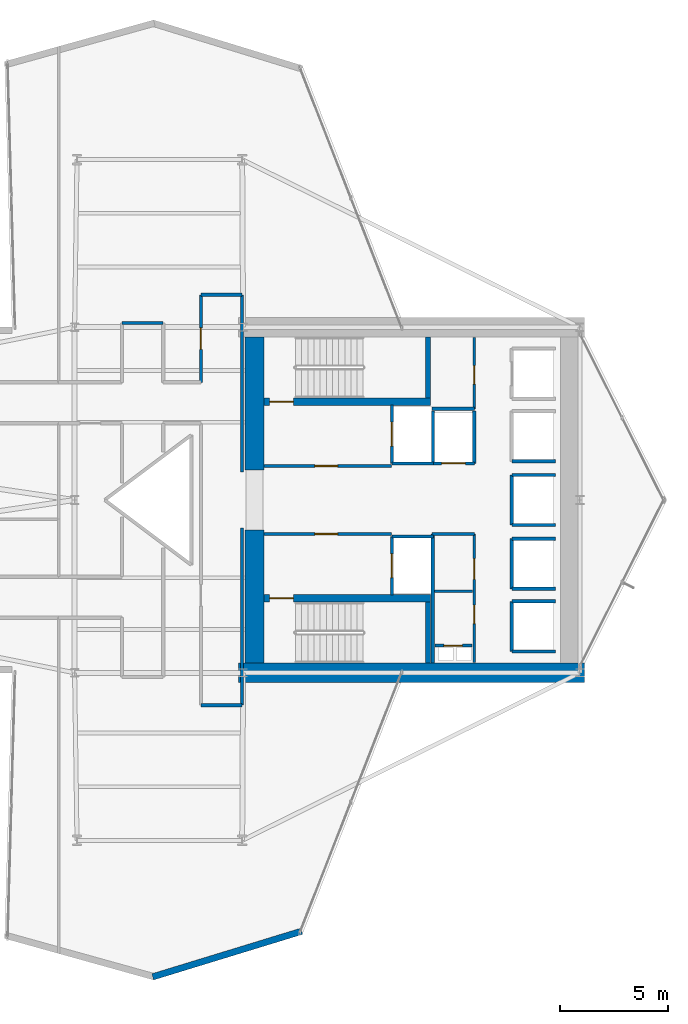
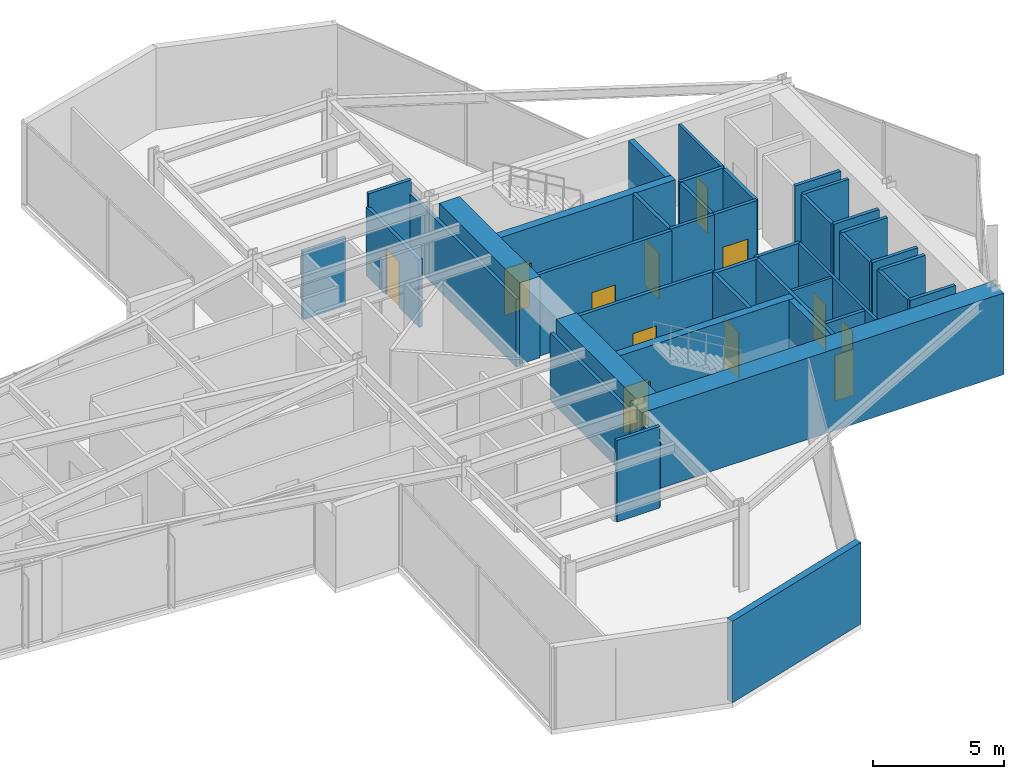
# One storey, part 28 of 30: 40 walls, 12 doors, 12 openings.
"""IFC4 building model written with IfcOpenShell, lengths in metres."""

from ifc_helpers import new_model, si_unit, direction, frame, frame_2d, origin, place, context, subcontext, project, spatial, rectangle, extrude, material, layer, layer_set, type_object, element, fill, save


model = new_model("IFC4")

# Units and contexts
model_context = context("Model", 3, precision=1e-05, world=origin(), true_north=direction((0.0, 1.0)))
body_context = subcontext(model_context, "Body", "Model", "MODEL_VIEW")
ifc_project = project(units=[si_unit("LENGTHUNIT", "METRE"), si_unit("AREAUNIT", "SQUARE_METRE"), si_unit("VOLUMEUNIT", "CUBIC_METRE"), si_unit("PLANEANGLEUNIT", "RADIAN"), si_unit("MASSUNIT", "GRAM", prefix="KILO")], contexts=[model_context])

# Site, building, storey
site_placement = place(None, origin())
site = spatial("IfcSite", under=ifc_project, at=site_placement, CompositionType="ELEMENT")
building_placement = place(site_placement, origin())
building = spatial("IfcBuilding", under=site, at=building_placement, Name="Veymaron Broadcast Tower", CompositionType="ELEMENT")
storey_placement = place(building_placement, frame((0.0, 0.0, 54.0)))
storey = spatial("IfcBuildingStorey", under=building, at=storey_placement, Name="L11", CompositionType="ELEMENT", Elevation=54.0)

# Wall
ifc_material_1 = material(Name="Precast concrete C40/50 with mineral-wool insulation", Category="concrete")
ifc_layer_1 = layer(ifc_material_1, 0.300048828125)
ifc_layer_set_1 = layer_set([ifc_layer_1], Name="Precast concrete C40/50 with mineral-wool insulation")
wall_type_1 = type_object("IfcWallType", Name="WALL-EXT-300", PredefinedType="STANDARD", material=ifc_layer_set_1)
wall_1_placement = place(storey_placement, frame((34.81494140625, 1.91796875, 0.0), z_axis=(0.0, 0.0, 1.0), x_axis=(0.956174816369, 0.292796380685, 0.0)))
element("IfcWall", 1, at=wall_1_placement, inside=storey, type_object=wall_type_1, Name="L11 notched corner facade pier 19-1", PredefinedType="STANDARD", context=body_context, shape_type="SweptSolid", body=[
    extrude(rectangle(XDim=7.212646484375, YDim=0.300048828125, at=frame_2d((3.6064453125, 0.0))), origin(), (0.0, 0.0, 1.0), 3.81005859375),
])

# Wall, opening, door
ifc_material_2 = material(Name="Gypsum fireboard and steel stud framing", Category="steel")
ifc_layer_2 = layer(ifc_material_2, 0.14990234375)
ifc_layer_set_2 = layer_set([ifc_layer_2], Name="Gypsum fireboard and steel stud framing")
wall_type_2 = type_object("IfcWallType", Name="WALL-FIRE-150", PredefinedType="PARTITIONING", material=ifc_layer_set_2)
wall_2_placement = place(storey_placement, frame((39.97998046875, 25.574951171875, 0.0), z_axis=(0.0, 0.0, 1.0), x_axis=(1.0, 0.0, 0.0)))
wall_2 = element("IfcWall", 2, at=wall_2_placement, inside=storey, type_object=wall_type_2, Name="L11 partition IW-L11-FFLN-S", PredefinedType="PARTITIONING", context=body_context, shape_type="SweptSolid", body=[
    extrude(rectangle(XDim=5.89990234375, YDim=0.14990234375, at=frame_2d((2.949951171875, 0.0))), origin(), (0.0, 0.0, 1.0), 3.81005859375),
])
opening_1_placement = place(wall_2_placement, frame((2.35009765625, 0.0, 0.0)))
opening_1 = element("IfcOpeningElement", 3, at=opening_1_placement, cuts=wall_2, Name="Opening ID-FL1", PredefinedType="OPENING", context=body_context, shape_type="SweptSolid", body=[
    extrude(rectangle(XDim=1.050048828125, YDim=2.14990234375, at=frame_2d((0.52490234375, 1.074951171875))), frame((0.0, 0.0849609375, 0.0), z_axis=(0.0, -1.0, 0.0), x_axis=(1.0, 0.0, 0.0)), (0.0, 0.0, 1.0), 0.169921875),
])
ifc_material_3 = material(Name="Fire-rated painted hollow steel ASTM A653", Category="steel")
door_type_1 = type_object("IfcDoorType", Name="DOOR-FIRE-1050", OperationType="NOTDEFINED", PredefinedType="DOOR", material=ifc_material_3)
door_1_placement = place(opening_1_placement, origin())
door_1 = element("IfcDoor", 4, at=door_1_placement, inside=storey, type_object=door_type_1, Name="L11 door DR-L11-FFLN", OperationType="SINGLE_SWING_LEFT", OverallHeight=2.14990234375, OverallWidth=1.050048828125, PredefinedType="DOOR", context=body_context, shape_type="SweptSolid", body=[
    extrude(rectangle(XDim=1.050048828125, YDim=2.14990234375, at=frame_2d((0.52490234375, 1.074951171875))), frame((0.0, 0.02490234375, 0.0), z_axis=(0.0, -1.0, 0.0), x_axis=(1.0, 0.0, 0.0)), (0.0, 0.0, 1.0), 0.050048828125),
])
fill(opening_1, door_1)

wall_3_placement = place(storey_placement, frame((39.97998046875, 22.425048828125, 0.0), z_axis=(0.0, 0.0, 1.0), x_axis=(1.0, 0.0, 0.0)))
wall_3 = element("IfcWall", 5, at=wall_3_placement, inside=storey, type_object=wall_type_2, Name="L11 partition IW-L11-FFLS-N", PredefinedType="PARTITIONING", context=body_context, shape_type="SweptSolid", body=[
    extrude(rectangle(XDim=5.89990234375, YDim=0.14990234375, at=frame_2d((2.949951171875, 0.0))), origin(), (0.0, 0.0, 1.0), 3.81005859375),
])
opening_2_placement = place(wall_3_placement, frame((2.35009765625, 0.0, 0.0)))
opening_2 = element("IfcOpeningElement", 6, at=opening_2_placement, cuts=wall_3, Name="Opening ID-FL1", PredefinedType="OPENING", context=body_context, shape_type="SweptSolid", body=[
    extrude(rectangle(XDim=1.050048828125, YDim=2.14990234375, at=frame_2d((0.52490234375, 1.074951171875))), frame((0.0, 0.0849609375, 0.0), z_axis=(0.0, -1.0, 0.0), x_axis=(1.0, 0.0, 0.0)), (0.0, 0.0, 1.0), 0.169921875),
])
door_2_placement = place(opening_2_placement, frame((1.050048828125, 0.0, 0.0), z_axis=(0.0, 0.0, 1.0), x_axis=(-1.0, 0.0, 0.0)))
door_2 = element("IfcDoor", 7, at=door_2_placement, inside=storey, type_object=door_type_1, Name="L11 door DR-L11-FFLS", OperationType="SINGLE_SWING_RIGHT", OverallHeight=2.14990234375, OverallWidth=1.050048828125, PredefinedType="DOOR", context=body_context, shape_type="SweptSolid", body=[
    extrude(rectangle(XDim=1.050048828125, YDim=2.14990234375, at=frame_2d((0.52490234375, 1.074951171875))), frame((0.0, 0.02490234375, 0.0), z_axis=(0.0, -1.0, 0.0), x_axis=(1.0, 0.0, 0.0)), (0.0, 0.0, 1.0), 0.050048828125),
])
fill(opening_2, door_2)

wall_4_placement = place(storey_placement, frame((45.89501953125, 25.68994140625, 0.0), z_axis=(0.0, 0.0, 1.0), x_axis=(0.0, 1.0, 0.0)))
wall_4 = element("IfcWall", 8, at=wall_4_placement, inside=storey, type_object=wall_type_2, Name="L11 partition IW-L11-SHW-FFL-1", PredefinedType="PARTITIONING", context=body_context, shape_type="SweptSolid", body=[
    extrude(rectangle(XDim=2.719970703125, YDim=0.14990234375, at=frame_2d((1.35986328125, 0.0))), origin(), (0.0, 0.0, 1.0), 3.81005859375),
])
opening_3_placement = place(wall_4_placement, frame((0.81005859375, 0.0, 0.0)))
opening_3 = element("IfcOpeningElement", 9, at=opening_3_placement, cuts=wall_4, Name="Opening LD", PredefinedType="OPENING", context=body_context, shape_type="SweptSolid", body=[
    extrude(rectangle(XDim=1.10009765625, YDim=2.14990234375, at=frame_2d((0.550048828125, 1.074951171875))), frame((0.0, 0.0849609375, 0.0), z_axis=(0.0, -1.0, 0.0), x_axis=(1.0, 0.0, 0.0)), (0.0, 0.0, 1.0), 0.169921875),
])
ifc_material_4 = material(Name="Brushed stainless steel AISI 304", Category="steel")
door_type_2 = type_object("IfcDoorType", Name="DOOR-LIFT-1100", OperationType="DOUBLE_DOOR_SLIDING", PredefinedType="DOOR", material=ifc_material_4)
door_3_placement = place(opening_3_placement, frame((1.10009765625, 0.0, 0.0), z_axis=(0.0, 0.0, 1.0), x_axis=(-1.0, 0.0, 0.0)))
door_3 = element("IfcDoor", 10, at=door_3_placement, inside=storey, type_object=door_type_2, Name="L11 door LD-L11-FFL-1", OperationType="DOUBLE_DOOR_SLIDING", OverallHeight=2.14990234375, OverallWidth=1.10009765625, PredefinedType="DOOR", context=body_context, shape_type="SweptSolid", body=[
    extrude(rectangle(XDim=1.10009765625, YDim=2.14990234375, at=frame_2d((0.550048828125, 1.074951171875))), frame((0.0, 0.02490234375, 0.0), z_axis=(0.0, -1.0, 0.0), x_axis=(1.0, 0.0, 0.0)), (0.0, 0.0, 1.0), 0.050048828125),
])
fill(opening_3, door_3)

# Wall
wall_5_placement = place(storey_placement, frame((45.89501953125, 25.68994140625, 0.0), z_axis=(0.0, 0.0, 1.0), x_axis=(1.0, 0.0, 0.0)))
element("IfcWall", 11, at=wall_5_placement, inside=storey, type_object=wall_type_2, Name="L11 partition IW-L11-SHS-FFL-1", PredefinedType="PARTITIONING", context=body_context, shape_type="SweptSolid", body=[
    extrude(rectangle(XDim=1.9150390625, YDim=0.14990234375, at=frame_2d((0.95751953125, 0.0))), origin(), (0.0, 0.0, 1.0), 3.81005859375),
])

# Wall, opening, door
wall_6_placement = place(storey_placement, frame((45.89501953125, 19.590087890625, 0.0), z_axis=(0.0, 0.0, 1.0), x_axis=(0.0, 1.0, 0.0)))
wall_6 = element("IfcWall", 12, at=wall_6_placement, inside=storey, type_object=wall_type_2, Name="L11 partition IW-L11-SHW-FFL-2", PredefinedType="PARTITIONING", context=body_context, shape_type="SweptSolid", body=[
    extrude(rectangle(XDim=2.719970703125, YDim=0.14990234375, at=frame_2d((1.35986328125, 0.0))), origin(), (0.0, 0.0, 1.0), 3.81005859375),
])
opening_4_placement = place(wall_6_placement, frame((0.81005859375, 0.0, 0.0)))
opening_4 = element("IfcOpeningElement", 13, at=opening_4_placement, cuts=wall_6, Name="Opening LD", PredefinedType="OPENING", context=body_context, shape_type="SweptSolid", body=[
    extrude(rectangle(XDim=1.10009765625, YDim=2.14990234375, at=frame_2d((0.550048828125, 1.074951171875))), frame((0.0, 0.0849609375, 0.0), z_axis=(0.0, -1.0, 0.0), x_axis=(1.0, 0.0, 0.0)), (0.0, 0.0, 1.0), 0.169921875),
])
door_4_placement = place(opening_4_placement, frame((1.10009765625, 0.0, 0.0), z_axis=(0.0, 0.0, 1.0), x_axis=(-1.0, 0.0, 0.0)))
door_4 = element("IfcDoor", 14, at=door_4_placement, inside=storey, type_object=door_type_2, Name="L11 door LD-L11-FFL-2", OperationType="DOUBLE_DOOR_SLIDING", OverallHeight=2.14990234375, OverallWidth=1.10009765625, PredefinedType="DOOR", context=body_context, shape_type="SweptSolid", body=[
    extrude(rectangle(XDim=1.10009765625, YDim=2.14990234375, at=frame_2d((0.550048828125, 1.074951171875))), frame((0.0, 0.02490234375, 0.0), z_axis=(0.0, -1.0, 0.0), x_axis=(1.0, 0.0, 0.0)), (0.0, 0.0, 1.0), 0.050048828125),
])
fill(opening_4, door_4)

# Wall
wall_7_placement = place(storey_placement, frame((45.89501953125, 22.31005859375, 0.0), z_axis=(0.0, 0.0, 1.0), x_axis=(1.0, 0.0, 0.0)))
element("IfcWall", 15, at=wall_7_placement, inside=storey, type_object=wall_type_2, Name="L11 partition IW-L11-SHN-FFL-2", PredefinedType="PARTITIONING", context=body_context, shape_type="SweptSolid", body=[
    extrude(rectangle(XDim=1.9150390625, YDim=0.14990234375, at=frame_2d((0.95751953125, 0.0))), origin(), (0.0, 0.0, 1.0), 3.81005859375),
])

# Wall, opening, door
wall_8_placement = place(storey_placement, frame((47.7900390625, 25.695068359375, 0.0), z_axis=(0.0, 0.0, 1.0), x_axis=(1.0, 0.0, 0.0)))
wall_8 = element("IfcWall", 16, at=wall_8_placement, inside=storey, type_object=wall_type_2, Name="L11 partition IW-L11-SHS-SL-1", PredefinedType="PARTITIONING", context=body_context, shape_type="SweptSolid", body=[
    extrude(rectangle(XDim=1.919921875, YDim=0.14990234375, at=frame_2d((0.9599609375, 0.0))), origin(), (0.0, 0.0, 1.0), 3.81005859375),
])
opening_5_placement = place(wall_8_placement, frame((0.409912109375, 0.0, 0.0)))
opening_5 = element("IfcOpeningElement", 17, at=opening_5_placement, cuts=wall_8, Name="Opening LD", PredefinedType="OPENING", context=body_context, shape_type="SweptSolid", body=[
    extrude(rectangle(XDim=1.10009765625, YDim=2.14990234375, at=frame_2d((0.550048828125, 1.074951171875))), frame((0.0, 0.0849609375, 0.0), z_axis=(0.0, -1.0, 0.0), x_axis=(1.0, 0.0, 0.0)), (0.0, 0.0, 1.0), 0.169921875),
])
door_5_placement = place(opening_5_placement, frame((1.10009765625, 0.0, 0.0), z_axis=(0.0, 0.0, 1.0), x_axis=(-1.0, 0.0, 0.0)))
door_5 = element("IfcDoor", 18, at=door_5_placement, inside=storey, type_object=door_type_2, Name="L11 door LD-L11-SL-1", OperationType="DOUBLE_DOOR_SLIDING", OverallHeight=2.14990234375, OverallWidth=1.10009765625, PredefinedType="DOOR", context=body_context, shape_type="SweptSolid", body=[
    extrude(rectangle(XDim=1.10009765625, YDim=2.14990234375, at=frame_2d((0.550048828125, 1.074951171875))), frame((0.0, 0.02490234375, 0.0), z_axis=(0.0, -1.0, 0.0), x_axis=(1.0, 0.0, 0.0)), (0.0, 0.0, 1.0), 0.050048828125),
])
fill(opening_5, door_5)

# Walls
for number, where, z_axis, x_axis, name in (
    (19, (47.7900390625, 25.695068359375, 0.0), (0.0, 0.0, 1.0), (0.0, 1.0, 0.0), "L11 partition IW-L11-SHW-SL-1"),
    (20, (49.7099609375, 25.695068359375, 0.0), (0.0, 0.0, 1.0), (0.0, 1.0, 0.0), "L11 partition IW-L11-SHE-SL-1"),
):
    element("IfcWall", number, at=place(storey_placement, frame(where, z_axis=z_axis, x_axis=x_axis)), inside=storey, type_object=wall_type_2, Name=name, PredefinedType="PARTITIONING", context=body_context, shape_type="SweptSolid", body=[
        extrude(rectangle(XDim=2.4150390625, YDim=0.14990234375, at=frame_2d((1.20751953125, 0.0))), origin(), (0.0, 0.0, 1.0), 3.81005859375),
    ])
wall_9_placement = place(storey_placement, frame((51.445068359375, 25.7900390625, 0.0), z_axis=(0.0, 0.0, 1.0), x_axis=(1.0, 0.0, 0.0)))
element("IfcWall", 21, at=wall_9_placement, inside=storey, type_object=wall_type_2, Name="L11 partition IW-L11-SHS-PM1", PredefinedType="PARTITIONING", context=body_context, shape_type="SweptSolid", body=[
    extrude(rectangle(XDim=2.014892578125, YDim=0.14990234375, at=frame_2d((1.00732421875, 0.0))), origin(), (0.0, 0.0, 1.0), 3.81005859375),
])
wall_10_placement = place(storey_placement, frame((51.445068359375, 19.889892578125, 0.0), z_axis=(0.0, 0.0, 1.0), x_axis=(0.0, 1.0, 0.0)))
element("IfcWall", 22, at=wall_10_placement, inside=storey, type_object=wall_type_2, Name="L11 partition IW-L11-SHW-PM2", PredefinedType="PARTITIONING", context=body_context, shape_type="SweptSolid", body=[
    extrude(rectangle(XDim=2.320068359375, YDim=0.14990234375, at=frame_2d((1.16015625, 0.0))), origin(), (0.0, 0.0, 1.0), 3.81005859375),
])
for number, where, z_axis, x_axis, name in (
    (23, (51.445068359375, 19.889892578125, 0.0), (0.0, 0.0, 1.0), (1.0, 0.0, 0.0), "L11 partition IW-L11-SHS-PM2"),
    (24, (51.445068359375, 22.2099609375, 0.0), (0.0, 0.0, 1.0), (1.0, 0.0, 0.0), "L11 partition IW-L11-SHN-PM2"),
):
    element("IfcWall", number, at=place(storey_placement, frame(where, z_axis=z_axis, x_axis=x_axis)), inside=storey, type_object=wall_type_2, Name=name, PredefinedType="PARTITIONING", context=body_context, shape_type="SweptSolid", body=[
        extrude(rectangle(XDim=2.014892578125, YDim=0.14990234375, at=frame_2d((1.00732421875, 0.0))), origin(), (0.0, 0.0, 1.0), 3.81005859375),
    ])
wall_11_placement = place(storey_placement, frame((51.445068359375, 22.840087890625, 0.0), z_axis=(0.0, 0.0, 1.0), x_axis=(0.0, 1.0, 0.0)))
element("IfcWall", 25, at=wall_11_placement, inside=storey, type_object=wall_type_2, Name="L11 partition IW-L11-SHW-PM3", PredefinedType="PARTITIONING", context=body_context, shape_type="SweptSolid", body=[
    extrude(rectangle(XDim=2.31982421875, YDim=0.14990234375, at=frame_2d((1.159912109375, 0.0))), origin(), (0.0, 0.0, 1.0), 3.81005859375),
])
for number, where, z_axis, x_axis, name in (
    (26, (51.445068359375, 22.840087890625, 0.0), (0.0, 0.0, 1.0), (1.0, 0.0, 0.0), "L11 partition IW-L11-SHS-PM3"),
    (27, (51.445068359375, 25.159912109375, 0.0), (0.0, 0.0, 1.0), (1.0, 0.0, 0.0), "L11 partition IW-L11-SHN-PM3"),
):
    element("IfcWall", number, at=place(storey_placement, frame(where, z_axis=z_axis, x_axis=x_axis)), inside=storey, type_object=wall_type_2, Name=name, PredefinedType="PARTITIONING", context=body_context, shape_type="SweptSolid", body=[
        extrude(rectangle(XDim=2.014892578125, YDim=0.14990234375, at=frame_2d((1.00732421875, 0.0))), origin(), (0.0, 0.0, 1.0), 3.81005859375),
    ])
wall_12_placement = place(storey_placement, frame((51.445068359375, 16.989990234375, 0.0), z_axis=(0.0, 0.0, 1.0), x_axis=(0.0, 1.0, 0.0)))
element("IfcWall", 28, at=wall_12_placement, inside=storey, type_object=wall_type_2, Name="L11 partition IW-L11-SHW-PH1", PredefinedType="PARTITIONING", context=body_context, shape_type="SweptSolid", body=[
    extrude(rectangle(XDim=2.320068359375, YDim=0.14990234375, at=frame_2d((1.16015625, 0.0))), origin(), (0.0, 0.0, 1.0), 3.81005859375),
])
for number, where, z_axis, x_axis, name in (
    (29, (51.445068359375, 16.989990234375, 0.0), (0.0, 0.0, 1.0), (1.0, 0.0, 0.0), "L11 partition IW-L11-SHS-PH1"),
    (30, (51.445068359375, 19.31005859375, 0.0), (0.0, 0.0, 1.0), (1.0, 0.0, 0.0), "L11 partition IW-L11-SHN-PH1"),
):
    element("IfcWall", number, at=place(storey_placement, frame(where, z_axis=z_axis, x_axis=x_axis)), inside=storey, type_object=wall_type_2, Name=name, PredefinedType="PARTITIONING", context=body_context, shape_type="SweptSolid", body=[
        extrude(rectangle(XDim=2.014892578125, YDim=0.14990234375, at=frame_2d((1.00732421875, 0.0))), origin(), (0.0, 0.0, 1.0), 3.81005859375),
    ])

# Wall, opening, door
wall_13_placement = place(storey_placement, frame((47.8798828125, 17.260009765625, 0.0), z_axis=(0.0, 0.0, 1.0), x_axis=(1.0, 0.0, 0.0)))
wall_13 = element("IfcWall", 31, at=wall_13_placement, inside=storey, type_object=wall_type_2, Name="L11 partition IW-L11-RIS-N", PredefinedType="PARTITIONING", context=body_context, shape_type="SweptSolid", body=[
    extrude(rectangle(XDim=1.72021484375, YDim=0.14990234375, at=frame_2d((0.860107421875, 0.0))), origin(), (0.0, 0.0, 1.0), 3.81005859375),
])
opening_6_placement = place(wall_13_placement, frame((0.419921875, 0.0, 0.0)))
opening_6 = element("IfcOpeningElement", 32, at=opening_6_placement, cuts=wall_13, Name="Opening ID-RS1", PredefinedType="OPENING", context=body_context, shape_type="SweptSolid", body=[
    extrude(rectangle(XDim=0.85009765625, YDim=2.14990234375, at=frame_2d((0.425048828125, 1.074951171875))), frame((0.0, 0.0849609375, 0.0), z_axis=(0.0, -1.0, 0.0), x_axis=(1.0, 0.0, 0.0)), (0.0, 0.0, 1.0), 0.169921875),
])
ifc_material_5 = material(Name="Fire-rated powder-coated steel riser leaf", Category="steel")
door_type_3 = type_object("IfcDoorType", Name="DOOR-RIS-850", OperationType="NOTDEFINED", PredefinedType="TRAPDOOR", material=ifc_material_5)
door_6_placement = place(opening_6_placement, origin())
door_6 = element("IfcDoor", 33, at=door_6_placement, inside=storey, type_object=door_type_3, Name="L11 door DR-L11-RIS", OperationType="SINGLE_SWING_LEFT", OverallHeight=2.14990234375, OverallWidth=0.85009765625, PredefinedType="TRAPDOOR", context=body_context, shape_type="SweptSolid", body=[
    extrude(rectangle(XDim=0.85009765625, YDim=2.14990234375, at=frame_2d((0.425048828125, 1.074951171875))), frame((0.0, 0.02490234375, 0.0), z_axis=(0.0, -1.0, 0.0), x_axis=(1.0, 0.0, 0.0)), (0.0, 0.0, 1.0), 0.050048828125),
])
fill(opening_6, door_6)

# Walls
wall_14_placement = place(storey_placement, frame((47.760009765625, 22.425048828125, 0.0), z_axis=(0.0, 0.0, 1.0), x_axis=(1.0, 0.0, 0.0)))
element("IfcWall", 34, at=wall_14_placement, inside=storey, type_object=wall_type_2, Name="L11 partition IW-L11-SM-N", PredefinedType="PARTITIONING", context=body_context, shape_type="SweptSolid", body=[
    extrude(rectangle(XDim=1.9599609375, YDim=0.14990234375, at=frame_2d((0.97998046875, 0.0))), origin(), (0.0, 0.0, 1.0), 3.81005859375),
])
wall_15_placement = place(storey_placement, frame((47.780029296875, 16.449951171875, 0.0), z_axis=(0.0, 0.0, 1.0), x_axis=(0.0, 1.0, 0.0)))
element("IfcWall", 35, at=wall_15_placement, inside=storey, type_object=wall_type_2, Name="L11 partition IW-L11-SM-W", PredefinedType="PARTITIONING", context=body_context, shape_type="SweptSolid", body=[
    extrude(rectangle(XDim=5.97509765625, YDim=0.14990234375, at=frame_2d((2.987548828125, 0.0))), origin(), (0.0, 0.0, 1.0), 3.81005859375),
])
wall_16_placement = place(storey_placement, frame((47.760009765625, 28.219970703125, 0.0), z_axis=(0.0, 0.0, 1.0), x_axis=(1.0, 0.0, 0.0)))
element("IfcWall", 36, at=wall_16_placement, inside=storey, type_object=wall_type_2, Name="L11 partition IW-L11-NM-S", PredefinedType="PARTITIONING", context=body_context, shape_type="SweptSolid", body=[
    extrude(rectangle(XDim=1.9599609375, YDim=0.14990234375, at=frame_2d((0.97998046875, 0.0))), origin(), (0.0, 0.0, 1.0), 3.81005859375),
])

# Wall, opening, door
wall_17_placement = place(storey_placement, frame((37.050048828125, 29.449951171875, 0.0), z_axis=(0.0, 0.0, 1.0), x_axis=(0.0, 1.0, 0.0)))
wall_17 = element("IfcWall", 37, at=wall_17_placement, inside=storey, type_object=wall_type_2, Name="L11 partition IW-L11-P31", PredefinedType="PARTITIONING", context=body_context, shape_type="SweptSolid", body=[
    extrude(rectangle(XDim=4.050048828125, YDim=0.14990234375, at=frame_2d((2.02490234375, 0.0))), origin(), (0.0, 0.0, 1.0), 3.180908203125),
])
opening_7_placement = place(wall_17_placement, frame((1.52490234375, 0.0, 0.0)))
opening_7 = element("IfcOpeningElement", 38, at=opening_7_placement, cuts=wall_17, Name="Opening ID-RM3", PredefinedType="OPENING", context=body_context, shape_type="SweptSolid", body=[
    extrude(rectangle(XDim=1.0, YDim=2.14990234375, at=frame_2d((0.5, 1.074951171875))), frame((0.0, 0.0849609375, 0.0), z_axis=(0.0, -1.0, 0.0), x_axis=(1.0, 0.0, 0.0)), (0.0, 0.0, 1.0), 0.169921875),
])
ifc_material_6 = material(Name="Acoustic solid-core European oak veneer timber", Category="wood")
door_type_4 = type_object("IfcDoorType", Name="DOOR-INT-1000", OperationType="NOTDEFINED", PredefinedType="DOOR", material=ifc_material_6)
door_7_placement = place(opening_7_placement, origin())
door_7 = element("IfcDoor", 39, at=door_7_placement, inside=storey, type_object=door_type_4, Name="L11 door DR-L11-P31", OperationType="SINGLE_SWING_RIGHT", OverallHeight=2.14990234375, OverallWidth=1.0, PredefinedType="DOOR", context=body_context, shape_type="SweptSolid", body=[
    extrude(rectangle(XDim=1.0, YDim=2.14990234375, at=frame_2d((0.5, 1.074951171875))), frame((0.0, 0.02490234375, 0.0), z_axis=(0.0, -1.0, 0.0), x_axis=(1.0, 0.0, 0.0)), (0.0, 0.0, 1.0), 0.050048828125),
])
fill(opening_7, door_7)

# Walls
wall_18_placement = place(storey_placement, frame((38.949951171875, 14.5, 0.0), z_axis=(0.0, 0.0, 1.0), x_axis=(0.0, 1.0, 0.0)))
element("IfcWall", 40, at=wall_18_placement, inside=storey, type_object=wall_type_2, Name="L11 partition IW-L11-P02", PredefinedType="PARTITIONING", context=body_context, shape_type="SweptSolid", body=[
    extrude(rectangle(XDim=8.199951171875, YDim=0.14990234375, at=frame_2d((4.10009765625, 0.0))), origin(), (0.0, 0.0, 1.0), 3.180908203125),
])
wall_19_placement = place(storey_placement, frame((37.050048828125, 14.5, 0.0), z_axis=(0.0, 0.0, 1.0), x_axis=(1.0, 0.0, 0.0)))
element("IfcWall", 41, at=wall_19_placement, inside=storey, type_object=wall_type_2, Name="L11 partition IW-L11-P06", PredefinedType="PARTITIONING", context=body_context, shape_type="SweptSolid", body=[
    extrude(rectangle(XDim=1.89990234375, YDim=0.14990234375, at=frame_2d((0.949951171875, 0.0))), origin(), (0.0, 0.0, 1.0), 3.81005859375),
])
wall_20_placement = place(storey_placement, frame((38.949951171875, 25.300048828125, 0.0), z_axis=(0.0, 0.0, 1.0), x_axis=(0.0, 1.0, 0.0)))
element("IfcWall", 42, at=wall_20_placement, inside=storey, type_object=wall_type_2, Name="L11 partition IW-L11-P30", PredefinedType="PARTITIONING", context=body_context, shape_type="SweptSolid", body=[
    extrude(rectangle(XDim=8.199951171875, YDim=0.14990234375, at=frame_2d((4.10009765625, 0.0))), origin(), (0.0, 0.0, 1.0), 3.180908203125),
])
wall_21_placement = place(storey_placement, frame((37.050048828125, 33.5, 0.0), z_axis=(0.0, 0.0, 1.0), x_axis=(1.0, 0.0, 0.0)))
element("IfcWall", 43, at=wall_21_placement, inside=storey, type_object=wall_type_2, Name="L11 partition IW-L11-P35", PredefinedType="PARTITIONING", context=body_context, shape_type="SweptSolid", body=[
    extrude(rectangle(XDim=1.89990234375, YDim=0.14990234375, at=frame_2d((0.949951171875, 0.0))), origin(), (0.0, 0.0, 1.0), 3.81005859375),
])
wall_22_placement = place(storey_placement, frame((33.39990234375, 32.199951171875, 0.0), z_axis=(0.0, 0.0, 1.0), x_axis=(1.0, 0.0, 0.0)))
element("IfcWall", 44, at=wall_22_placement, inside=storey, type_object=wall_type_2, Name="L11 partition IW-L11-P36", PredefinedType="PARTITIONING", context=body_context, shape_type="SweptSolid", body=[
    extrude(rectangle(XDim=1.900146484375, YDim=0.14990234375, at=frame_2d((0.9501953125, 0.0))), origin(), (0.0, 0.0, 1.0), 3.180908203125),
])
ifc_material_7 = material(Name="Acoustic gypsum board and galvanized stud", Category="gypsum")
ifc_layer_3 = layer(ifc_material_7, 0.1201171875)
ifc_layer_set_3 = layer_set([ifc_layer_3], Name="Acoustic gypsum board and galvanized stud")
wall_type_3 = type_object("IfcWallType", Name="WALL-PART-120", PredefinedType="PARTITIONING", material=ifc_layer_set_3)
wall_23_placement = place(storey_placement, frame((47.860107421875, 19.780029296875, 0.0), z_axis=(0.0, 0.0, 1.0), x_axis=(1.0, 0.0, 0.0)))
element("IfcWall", 45, at=wall_23_placement, inside=storey, type_object=wall_type_3, Name="L11 partition IW-L11-SM-DIV", PredefinedType="PARTITIONING", context=body_context, shape_type="SweptSolid", body=[
    extrude(rectangle(XDim=1.760009765625, YDim=0.1201171875, at=frame_2d((0.8798828125, 0.0))), origin(), (0.0, 0.0, 1.0), 3.81005859375),
])

# Wall, openings, doors
wall_24_placement = place(storey_placement, frame((49.699951171875, 16.47998046875, 0.0), z_axis=(0.0, 0.0, 1.0), x_axis=(0.0, 1.0, 0.0)))
wall_24 = element("IfcWall", 46, at=wall_24_placement, inside=storey, type_object=wall_type_3, Name="L11 partition IW-L11-SM-E", PredefinedType="PARTITIONING", context=body_context, shape_type="SweptSolid", body=[
    extrude(rectangle(XDim=5.945068359375, YDim=0.1201171875, at=frame_2d((2.97265625, 0.0))), origin(), (0.0, 0.0, 1.0), 3.81005859375),
])
opening_8_placement = place(wall_24_placement, frame((1.800048828125, 0.0, 0.0)))
opening_8 = element("IfcOpeningElement", 47, at=opening_8_placement, cuts=wall_24, Name="Opening ID-WC1", PredefinedType="OPENING", context=body_context, shape_type="SweptSolid", body=[
    extrude(rectangle(XDim=0.85009765625, YDim=2.14990234375, at=frame_2d((0.425048828125, 1.074951171875))), frame((0.0, 0.070068359375, 0.0), z_axis=(0.0, -1.0, 0.0), x_axis=(1.0, 0.0, 0.0)), (0.0, 0.0, 1.0), 0.14013671875),
])
opening_9_placement = place(wall_24_placement, frame((3.85009765625, 0.0, 0.0)))
opening_9 = element("IfcOpeningElement", 48, at=opening_9_placement, cuts=wall_24, Name="Opening ID-RM1", PredefinedType="OPENING", context=body_context, shape_type="SweptSolid", body=[
    extrude(rectangle(XDim=0.949951171875, YDim=2.14990234375, at=frame_2d((0.47509765625, 1.074951171875))), frame((0.0, 0.070068359375, 0.0), z_axis=(0.0, -1.0, 0.0), x_axis=(1.0, 0.0, 0.0)), (0.0, 0.0, 1.0), 0.14013671875),
])
ifc_material_8 = material(Name="Moisture-resistant high-pressure laminate timber", Category="wood")
door_type_5 = type_object("IfcDoorType", Name="DOOR-INT-850", OperationType="NOTDEFINED", PredefinedType="DOOR", material=ifc_material_8)
door_8_placement = place(opening_8_placement, frame((0.85009765625, 0.0, 0.0), z_axis=(0.0, 0.0, 1.0), x_axis=(-1.0, 0.0, 0.0)))
door_8 = element("IfcDoor", 49, at=door_8_placement, inside=storey, type_object=door_type_5, Name="L11 door DR-L11-SWC", OperationType="SINGLE_SWING_LEFT", OverallHeight=2.14990234375, OverallWidth=0.85009765625, PredefinedType="DOOR", context=body_context, shape_type="SweptSolid", body=[
    extrude(rectangle(XDim=0.85009765625, YDim=2.14990234375, at=frame_2d((0.425048828125, 1.074951171875))), frame((0.0, 0.02490234375, 0.0), z_axis=(0.0, -1.0, 0.0), x_axis=(1.0, 0.0, 0.0)), (0.0, 0.0, 1.0), 0.050048828125),
])
fill(opening_8, door_8)
door_type_6 = type_object("IfcDoorType", Name="DOOR-INT-950", OperationType="NOTDEFINED", PredefinedType="DOOR", material=ifc_material_6)
door_9_placement = place(opening_9_placement, frame((0.949951171875, 0.0, 0.0), z_axis=(0.0, 0.0, 1.0), x_axis=(-1.0, 0.0, 0.0)))
door_9 = element("IfcDoor", 50, at=door_9_placement, inside=storey, type_object=door_type_6, Name="L11 door DR-L11-AWC", OperationType="SINGLE_SWING_RIGHT", OverallHeight=2.14990234375, OverallWidth=0.949951171875, PredefinedType="DOOR", context=body_context, shape_type="SweptSolid", body=[
    extrude(rectangle(XDim=0.949951171875, YDim=2.14990234375, at=frame_2d((0.47509765625, 1.074951171875))), frame((0.0, 0.02490234375, 0.0), z_axis=(0.0, -1.0, 0.0), x_axis=(1.0, 0.0, 0.0)), (0.0, 0.0, 1.0), 0.050048828125),
])
fill(opening_9, door_9)

# Wall, opening, door
wall_25_placement = place(storey_placement, frame((49.699951171875, 28.219970703125, 0.0), z_axis=(0.0, 0.0, 1.0), x_axis=(0.0, 1.0, 0.0)))
wall_25 = element("IfcWall", 51, at=wall_25_placement, inside=storey, type_object=wall_type_3, Name="L11 partition IW-L11-NM-E", PredefinedType="PARTITIONING", context=body_context, shape_type="SweptSolid", body=[
    extrude(rectangle(XDim=3.300048828125, YDim=0.1201171875, at=frame_2d((1.64990234375, 0.0))), origin(), (0.0, 0.0, 1.0), 3.81005859375),
])
opening_10_placement = place(wall_25_placement, frame((1.14990234375, 0.0, 0.0)))
opening_10 = element("IfcOpeningElement", 52, at=opening_10_placement, cuts=wall_25, Name="Opening ID-WC1", PredefinedType="OPENING", context=body_context, shape_type="SweptSolid", body=[
    extrude(rectangle(XDim=0.85009765625, YDim=2.14990234375, at=frame_2d((0.425048828125, 1.074951171875))), frame((0.0, 0.070068359375, 0.0), z_axis=(0.0, -1.0, 0.0), x_axis=(1.0, 0.0, 0.0)), (0.0, 0.0, 1.0), 0.14013671875),
])
door_10_placement = place(opening_10_placement, frame((0.85009765625, 0.0, 0.0), z_axis=(0.0, 0.0, 1.0), x_axis=(-1.0, 0.0, 0.0)))
door_10 = element("IfcDoor", 53, at=door_10_placement, inside=storey, type_object=door_type_5, Name="L11 door DR-L11-NMR", OperationType="SINGLE_SWING_LEFT", OverallHeight=2.14990234375, OverallWidth=0.85009765625, PredefinedType="DOOR", context=body_context, shape_type="SweptSolid", body=[
    extrude(rectangle(XDim=0.85009765625, YDim=2.14990234375, at=frame_2d((0.425048828125, 1.074951171875))), frame((0.0, 0.02490234375, 0.0), z_axis=(0.0, -1.0, 0.0), x_axis=(1.0, 0.0, 0.0)), (0.0, 0.0, 1.0), 0.050048828125),
])
fill(opening_10, door_10)

# Walls
ifc_material_9 = material(Name="Concrete C50/60", Category="concrete")
ifc_layer_4 = layer(ifc_material_9, 0.25)
ifc_layer_set_4 = layer_set([ifc_layer_4], Name="Concrete C50/60")
wall_type_4 = type_object("IfcWallType", Name="WALL-SHEAR-250", PredefinedType="SHEAR", material=ifc_layer_set_4)
for number, where, z_axis, x_axis, name in (
    (54, (47.56494140625, 28.72998046875, 0.0), (0.0, 0.0, 1.0), (0.0, 1.0, 0.0), "L11 Core Wall north stair east shear"),
    (55, (47.56494140625, 16.449951171875, 0.0), (0.0, 0.0, 1.0), (0.0, 1.0, 0.0), "L11 Core Wall south stair east shear"),
):
    element("IfcWall", number, at=place(storey_placement, frame(where, z_axis=z_axis, x_axis=x_axis)), inside=storey, type_object=wall_type_4, Name=name, PredefinedType="SHEAR", context=body_context, shape_type="SweptSolid", body=[
        extrude(rectangle(XDim=2.820068359375, YDim=0.25, at=frame_2d((1.41015625, 0.0))), origin(), (0.0, 0.0, 1.0), 3.81005859375),
    ])

# Wall, opening, door
ifc_layer_5 = layer(ifc_material_9, 0.35009765625)
ifc_layer_set_5 = layer_set([ifc_layer_5], Name="Concrete C50/60")
wall_type_5 = type_object("IfcWallType", Name="WALL-SHEAR-350", PredefinedType="SHEAR", material=ifc_layer_set_5)
wall_26_placement = place(storey_placement, frame((39.97998046875, 28.554931640625, 0.0), z_axis=(0.0, 0.0, 1.0), x_axis=(1.0, 0.0, 0.0)))
wall_26 = element("IfcWall", 56, at=wall_26_placement, inside=storey, type_object=wall_type_5, Name="L11 Core Wall north stair spine", PredefinedType="SHEAR", context=body_context, shape_type="SweptSolid", body=[
    extrude(rectangle(XDim=7.7099609375, YDim=0.35009765625, at=frame_2d((3.85498046875, 0.0))), origin(), (0.0, 0.0, 1.0), 3.81005859375),
])
opening_11_placement = place(wall_26_placement, frame((0.25, 0.0, 0.0)))
opening_11 = element("IfcOpeningElement", 57, at=opening_11_placement, cuts=wall_26, Name="Opening ID-ST1", PredefinedType="OPENING", context=body_context, shape_type="SweptSolid", body=[
    extrude(rectangle(XDim=1.10009765625, YDim=2.14990234375, at=frame_2d((0.550048828125, 1.074951171875))), frame((0.0, 0.18505859375, 0.0), z_axis=(0.0, -1.0, 0.0), x_axis=(1.0, 0.0, 0.0)), (0.0, 0.0, 1.0), 0.3701171875),
])
door_type_7 = type_object("IfcDoorType", Name="DOOR-STAIR-1100", OperationType="NOTDEFINED", PredefinedType="DOOR", material=ifc_material_3)
door_11_placement = place(opening_11_placement, origin())
door_11 = element("IfcDoor", 58, at=door_11_placement, inside=storey, type_object=door_type_7, Name="L11 exit stair ST1 fire door", OperationType="SINGLE_SWING_RIGHT", OverallHeight=2.14990234375, OverallWidth=1.10009765625, PredefinedType="DOOR", context=body_context, shape_type="SweptSolid", body=[
    extrude(rectangle(XDim=1.10009765625, YDim=2.14990234375, at=frame_2d((0.550048828125, 1.074951171875))), frame((0.0, 0.02490234375, 0.0), z_axis=(0.0, -1.0, 0.0), x_axis=(1.0, 0.0, 0.0)), (0.0, 0.0, 1.0), 0.050048828125),
])
fill(opening_11, door_11)

wall_27_placement = place(storey_placement, frame((39.97998046875, 19.445068359375, 0.0), z_axis=(0.0, 0.0, 1.0), x_axis=(1.0, 0.0, 0.0)))
wall_27 = element("IfcWall", 59, at=wall_27_placement, inside=storey, type_object=wall_type_5, Name="L11 Core Wall south stair spine", PredefinedType="SHEAR", context=body_context, shape_type="SweptSolid", body=[
    extrude(rectangle(XDim=7.7099609375, YDim=0.35009765625, at=frame_2d((3.85498046875, 0.0))), origin(), (0.0, 0.0, 1.0), 3.81005859375),
])
opening_12_placement = place(wall_27_placement, frame((0.25, 0.0, 0.0)))
opening_12 = element("IfcOpeningElement", 60, at=opening_12_placement, cuts=wall_27, Name="Opening ID-ST1", PredefinedType="OPENING", context=body_context, shape_type="SweptSolid", body=[
    extrude(rectangle(XDim=1.10009765625, YDim=2.14990234375, at=frame_2d((0.550048828125, 1.074951171875))), frame((0.0, 0.18505859375, 0.0), z_axis=(0.0, -1.0, 0.0), x_axis=(1.0, 0.0, 0.0)), (0.0, 0.0, 1.0), 0.3701171875),
])
door_12_placement = place(opening_12_placement, frame((1.10009765625, 0.0, 0.0), z_axis=(0.0, 0.0, 1.0), x_axis=(-1.0, 0.0, 0.0)))
door_12 = element("IfcDoor", 61, at=door_12_placement, inside=storey, type_object=door_type_7, Name="L11 exit stair ST2 fire door", OperationType="SINGLE_SWING_LEFT", OverallHeight=2.14990234375, OverallWidth=1.10009765625, PredefinedType="DOOR", context=body_context, shape_type="SweptSolid", body=[
    extrude(rectangle(XDim=1.10009765625, YDim=2.14990234375, at=frame_2d((0.550048828125, 1.074951171875))), frame((0.0, 0.02490234375, 0.0), z_axis=(0.0, -1.0, 0.0), x_axis=(1.0, 0.0, 0.0)), (0.0, 0.0, 1.0), 0.050048828125),
])
fill(opening_12, door_12)

# Walls
ifc_material_10 = material(Name="Concrete C70/85", Category="concrete")
ifc_layer_6 = layer(ifc_material_10, 0.89990234375)
ifc_layer_set_6 = layer_set([ifc_layer_6], Name="Concrete C70/85")
wall_type_6 = type_object("IfcWallType", Name="WALL-SHEAR-900", PredefinedType="SHEAR", material=ifc_layer_set_6)
wall_28_placement = place(storey_placement, frame((38.800048828125, 16.0, 0.0), z_axis=(0.0, 0.0, 1.0), x_axis=(1.0, 0.0, 0.0)))
element("IfcWall", 62, at=wall_28_placement, inside=storey, type_object=wall_type_6, Name="L11 Core Wall south shear", PredefinedType="SHEAR", context=body_context, shape_type="SweptSolid", body=[
    extrude(rectangle(XDim=16.0, YDim=0.89990234375, at=frame_2d((8.0, 0.0))), origin(), (0.0, 0.0, 1.0), 3.81005859375),
])
for number, where, z_axis, x_axis, name in (
    (63, (39.530029296875, 16.449951171875, 0.0), (0.0, 0.0, 1.0), (0.0, 1.0, 0.0), "L11 Core Wall west-south shear"),
    (64, (39.530029296875, 25.39990234375, 0.0), (0.0, 0.0, 1.0), (0.0, 1.0, 0.0), "L11 Core Wall west-north shear"),
):
    element("IfcWall", number, at=place(storey_placement, frame(where, z_axis=z_axis, x_axis=x_axis)), inside=storey, type_object=wall_type_6, Name=name, PredefinedType="SHEAR", context=body_context, shape_type="SweptSolid", body=[
        extrude(rectangle(XDim=6.150146484375, YDim=0.89990234375, at=frame_2d((3.0751953125, 0.0))), origin(), (0.0, 0.0, 1.0), 3.81005859375),
    ])

save(model, "model.ifc")
